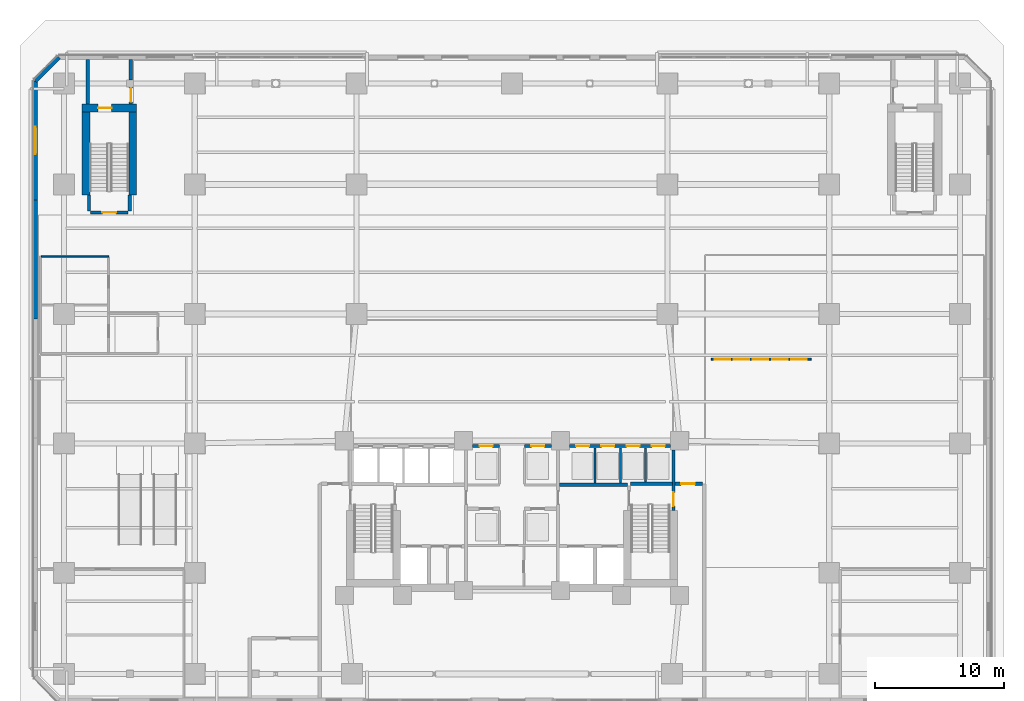
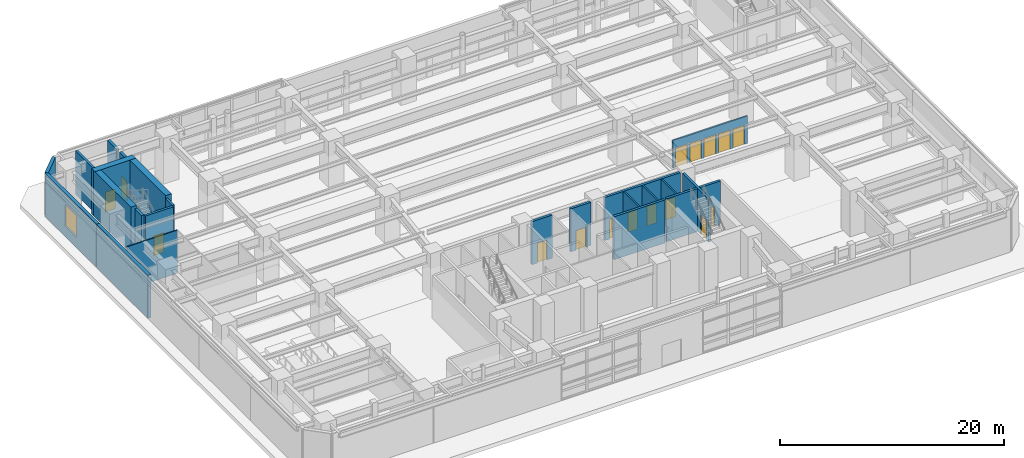
# One storey, part 15 of 26: 24 walls, 16 doors, 1 window, 17 openings.
"""IFC4 building model written with IfcOpenShell, lengths in metres."""

from ifc_helpers import new_model, si_unit, direction, frame, frame_2d, origin, place, context, subcontext, project, spatial, rectangle, extrude, material, layer, layer_set, type_object, element, fill, save


model = new_model("IFC4")

# Units and contexts
model_context = context("Model", 3, precision=1e-05, world=origin(), true_north=direction((0.0, 1.0)))
body_context = subcontext(model_context, "Body", "Model", "MODEL_VIEW")
ifc_project = project(units=[si_unit("LENGTHUNIT", "METRE"), si_unit("AREAUNIT", "SQUARE_METRE"), si_unit("VOLUMEUNIT", "CUBIC_METRE"), si_unit("PLANEANGLEUNIT", "RADIAN"), si_unit("MASSUNIT", "GRAM", prefix="KILO")], contexts=[model_context])

# Site, building, storey
site_placement = place(None, origin())
site = spatial("IfcSite", under=ifc_project, at=site_placement, CompositionType="ELEMENT")
building_placement = place(site_placement, origin())
building = spatial("IfcBuilding", under=site, at=building_placement, Name="Quenlor Broadcast Tower", CompositionType="ELEMENT")
storey_placement = place(building_placement, origin())
storey = spatial("IfcBuildingStorey", under=building, at=storey_placement, Name="L00", CompositionType="ELEMENT", Elevation=0.0)

# Wall, openings, doors
ifc_material_1 = material(Name="Acoustic Double Stud Gypsum Partition", Category="other")
ifc_layer_1 = layer(ifc_material_1, 0.14990234375)
ifc_layer_set_1 = layer_set([ifc_layer_1], Name="Broadcast Studio Acoustic Partition 150")
wall_type_1 = type_object("IfcWallType", Name="Broadcast Studio Acoustic Partition 150", PredefinedType="PARTITIONING", material=ifc_layer_set_1)
wall_1_placement = place(storey_placement, frame((15.39990234375, 1.5, 0.0), z_axis=(0.0, 0.0, 1.0), x_axis=(1.0, 0.0, 0.0)))
wall_1 = element("IfcWall", 1, at=wall_1_placement, inside=storey, type_object=wall_type_1, Name="L00 Ticket Hall Fare Gate Screen Wall", PredefinedType="PARTITIONING", context=body_context, shape_type="SweptSolid", body=[
    extrude(rectangle(XDim=7.7001953125, YDim=0.14990234375, at=frame_2d((3.85009765625, 0.0))), origin(), (0.0, 0.0, 1.0), 3.0),
])
opening_1_placement = place(wall_1_placement, frame((0.25, 0.0, 0.0)))
opening_1 = element("IfcOpeningElement", 2, at=opening_1_placement, cuts=wall_1, Name="Opening GT-1", PredefinedType="OPENING", context=body_context, shape_type="SweptSolid", body=[
    extrude(rectangle(XDim=1.199951171875, YDim=2.10009765625, at=frame_2d((0.60009765625, 1.050048828125))), frame((0.0, 0.0849609375, 0.0), z_axis=(0.0, -1.0, 0.0), x_axis=(1.0, 0.0, 0.0)), (0.0, 0.0, 1.0), 0.169921875),
])
opening_2_placement = place(wall_1_placement, frame((1.72998046875, 0.0, 0.0)))
opening_2 = element("IfcOpeningElement", 3, at=opening_2_placement, cuts=wall_1, Name="Opening GT-1", PredefinedType="OPENING", context=body_context, shape_type="SweptSolid", body=[
    extrude(rectangle(XDim=1.199951171875, YDim=2.10009765625, at=frame_2d((0.60009765625, 1.050048828125))), frame((0.0, 0.0849609375, 0.0), z_axis=(0.0, -1.0, 0.0), x_axis=(1.0, 0.0, 0.0)), (0.0, 0.0, 1.0), 0.169921875),
])
opening_3_placement = place(wall_1_placement, frame((3.2099609375, 0.0, 0.0)))
opening_3 = element("IfcOpeningElement", 4, at=opening_3_placement, cuts=wall_1, Name="Opening GT-1", PredefinedType="OPENING", context=body_context, shape_type="SweptSolid", body=[
    extrude(rectangle(XDim=1.199951171875, YDim=2.10009765625, at=frame_2d((0.60009765625, 1.050048828125))), frame((0.0, 0.0849609375, 0.0), z_axis=(0.0, -1.0, 0.0), x_axis=(1.0, 0.0, 0.0)), (0.0, 0.0, 1.0), 0.169921875),
])
opening_4_placement = place(wall_1_placement, frame((4.68994140625, 0.0, 0.0)))
opening_4 = element("IfcOpeningElement", 5, at=opening_4_placement, cuts=wall_1, Name="Opening GT-1", PredefinedType="OPENING", context=body_context, shape_type="SweptSolid", body=[
    extrude(rectangle(XDim=1.199951171875, YDim=2.10009765625, at=frame_2d((0.60009765625, 1.050048828125))), frame((0.0, 0.0849609375, 0.0), z_axis=(0.0, -1.0, 0.0), x_axis=(1.0, 0.0, 0.0)), (0.0, 0.0, 1.0), 0.169921875),
])
opening_5_placement = place(wall_1_placement, frame((6.169921875, 0.0, 0.0)))
opening_5 = element("IfcOpeningElement", 6, at=opening_5_placement, cuts=wall_1, Name="Opening GT-1", PredefinedType="OPENING", context=body_context, shape_type="SweptSolid", body=[
    extrude(rectangle(XDim=1.199951171875, YDim=2.10009765625, at=frame_2d((0.60009765625, 1.050048828125))), frame((0.0, 0.0849609375, 0.0), z_axis=(0.0, -1.0, 0.0), x_axis=(1.0, 0.0, 0.0)), (0.0, 0.0, 1.0), 0.169921875),
])
ifc_material_2 = material(Name="Anodised Aluminium and Glass", Category="aluminium")
door_type_1 = type_object("IfcDoorType", Name="Station Concourse Accessible Fare Gate 1200x2100", OperationType="NOTDEFINED", PredefinedType="GATE", material=ifc_material_2)
door_1_placement = place(opening_1_placement, origin())
door_1 = element("IfcDoor", 7, at=door_1_placement, inside=storey, type_object=door_type_1, Name="L00 Station Accessible Fare Gate 1", OperationType="DOUBLE_DOOR_SINGLE_SWING", OverallHeight=2.10009765625, OverallWidth=1.199951171875, PredefinedType="GATE", context=body_context, shape_type="SweptSolid", body=[
    extrude(rectangle(XDim=1.199951171875, YDim=2.10009765625, at=frame_2d((0.60009765625, 1.050048828125))), frame((0.0, 0.02490234375, 0.0), z_axis=(0.0, -1.0, 0.0), x_axis=(1.0, 0.0, 0.0)), (0.0, 0.0, 1.0), 0.050048828125),
])
fill(opening_1, door_1)
door_2_placement = place(opening_2_placement, origin())
door_2 = element("IfcDoor", 8, at=door_2_placement, inside=storey, type_object=door_type_1, Name="L00 Station Accessible Fare Gate 2", OperationType="DOUBLE_DOOR_SINGLE_SWING", OverallHeight=2.10009765625, OverallWidth=1.199951171875, PredefinedType="GATE", context=body_context, shape_type="SweptSolid", body=[
    extrude(rectangle(XDim=1.199951171875, YDim=2.10009765625, at=frame_2d((0.60009765625, 1.050048828125))), frame((0.0, 0.02490234375, 0.0), z_axis=(0.0, -1.0, 0.0), x_axis=(1.0, 0.0, 0.0)), (0.0, 0.0, 1.0), 0.050048828125),
])
fill(opening_2, door_2)
door_3_placement = place(opening_3_placement, origin())
door_3 = element("IfcDoor", 9, at=door_3_placement, inside=storey, type_object=door_type_1, Name="L00 Station Accessible Fare Gate 3", OperationType="DOUBLE_DOOR_SINGLE_SWING", OverallHeight=2.10009765625, OverallWidth=1.199951171875, PredefinedType="GATE", context=body_context, shape_type="SweptSolid", body=[
    extrude(rectangle(XDim=1.199951171875, YDim=2.10009765625, at=frame_2d((0.60009765625, 1.050048828125))), frame((0.0, 0.02490234375, 0.0), z_axis=(0.0, -1.0, 0.0), x_axis=(1.0, 0.0, 0.0)), (0.0, 0.0, 1.0), 0.050048828125),
])
fill(opening_3, door_3)
door_4_placement = place(opening_4_placement, origin())
door_4 = element("IfcDoor", 10, at=door_4_placement, inside=storey, type_object=door_type_1, Name="L00 Station Accessible Fare Gate 4", OperationType="DOUBLE_DOOR_SINGLE_SWING", OverallHeight=2.10009765625, OverallWidth=1.199951171875, PredefinedType="GATE", context=body_context, shape_type="SweptSolid", body=[
    extrude(rectangle(XDim=1.199951171875, YDim=2.10009765625, at=frame_2d((0.60009765625, 1.050048828125))), frame((0.0, 0.02490234375, 0.0), z_axis=(0.0, -1.0, 0.0), x_axis=(1.0, 0.0, 0.0)), (0.0, 0.0, 1.0), 0.050048828125),
])
fill(opening_4, door_4)
door_5_placement = place(opening_5_placement, origin())
door_5 = element("IfcDoor", 11, at=door_5_placement, inside=storey, type_object=door_type_1, Name="L00 Station Accessible Fare Gate 5", OperationType="DOUBLE_DOOR_SINGLE_SWING", OverallHeight=2.10009765625, OverallWidth=1.199951171875, PredefinedType="GATE", context=body_context, shape_type="SweptSolid", body=[
    extrude(rectangle(XDim=1.199951171875, YDim=2.10009765625, at=frame_2d((0.60009765625, 1.050048828125))), frame((0.0, 0.02490234375, 0.0), z_axis=(0.0, -1.0, 0.0), x_axis=(1.0, 0.0, 0.0)), (0.0, 0.0, 1.0), 0.050048828125),
])
fill(opening_5, door_5)

# Wall, opening, door
ifc_material_3 = material(Name="Concrete C65/80", Category="concrete")
ifc_layer_2 = layer(ifc_material_3, 0.60009765625)
ifc_layer_set_2 = layer_set([ifc_layer_2], Name="Core Concrete C65/80 Shear Wall 600")
wall_type_2 = type_object("IfcWallType", Name="Core Concrete C65/80 Shear Wall 600", PredefinedType="SHEAR", material=ifc_layer_set_2)
wall_2_placement = place(storey_placement, frame((-33.199951171875, 20.89990234375, 0.0), z_axis=(0.0, 0.0, 1.0), x_axis=(1.0, 0.0, 0.0)))
wall_2 = element("IfcWall", 12, at=wall_2_placement, inside=storey, type_object=wall_type_2, Name="L00 Core Shear Wall ST3-N", PredefinedType="SHEAR", context=body_context, shape_type="SweptSolid", body=[
    extrude(rectangle(XDim=4.199951171875, YDim=0.60009765625, at=frame_2d((2.10009765625, 0.0))), origin(), (0.0, 0.0, 1.0), 5.0),
])
opening_6_placement = place(wall_2_placement, frame((1.22509765625, 0.0, 0.0)))
opening_6 = element("IfcOpeningElement", 13, at=opening_6_placement, cuts=wall_2, Name="Opening FD-1", PredefinedType="OPENING", context=body_context, shape_type="SweptSolid", body=[
    extrude(rectangle(XDim=1.050048828125, YDim=2.14990234375, at=frame_2d((0.52490234375, 1.074951171875))), frame((0.0, 0.31005859375, 0.0), z_axis=(0.0, -1.0, 0.0), x_axis=(1.0, 0.0, 0.0)), (0.0, 0.0, 1.0), 0.6201171875),
])
ifc_material_4 = material(Name="Fire Rated Steel Door Leaf", Category="steel")
door_type_2 = type_object("IfcDoorType", Name="Fire Isolated Stair Door 1050x2150", OperationType="NOTDEFINED", PredefinedType="DOOR", material=ifc_material_4)
door_6_placement = place(opening_6_placement, origin())
door_6 = element("IfcDoor", 14, at=door_6_placement, inside=storey, type_object=door_type_2, Name="L00 Exit Stair ST-3 Discharge Door to Exit Vestibule North West", OperationType="SINGLE_SWING_LEFT", OverallHeight=2.14990234375, OverallWidth=1.050048828125, PredefinedType="DOOR", context=body_context, shape_type="SweptSolid", body=[
    extrude(rectangle(XDim=1.050048828125, YDim=2.14990234375, at=frame_2d((0.52490234375, 1.074951171875))), frame((0.0, 0.02490234375, 0.0), z_axis=(0.0, -1.0, 0.0), x_axis=(1.0, 0.0, 0.0)), (0.0, 0.0, 1.0), 0.050048828125),
])
fill(opening_6, door_6)

# Walls
for number, where, z_axis, x_axis, name in (
    (15, (-32.89990234375, 14.199951171875, 0.0), (0.0, 0.0, 1.0), (0.0, 1.0, 0.0), "L00 Core Shear Wall ST3-W"),
    (16, (-29.300048828125, 14.199951171875, 0.0), (0.0, 0.0, 1.0), (0.0, 1.0, 0.0), "L00 Core Shear Wall ST3-E"),
):
    element("IfcWall", number, at=place(storey_placement, frame(where, z_axis=z_axis, x_axis=x_axis)), inside=storey, type_object=wall_type_2, Name=name, PredefinedType="SHEAR", context=body_context, shape_type="SweptSolid", body=[
        extrude(rectangle(XDim=6.699951171875, YDim=0.60009765625, at=frame_2d((3.35009765625, 0.0))), origin(), (0.0, 0.0, 1.0), 5.0),
    ])
ifc_material_5 = material(Name="Concrete C40/50", Category="concrete")
ifc_layer_3 = layer(ifc_material_5, 0.25)
ifc_layer_set_3 = layer_set([ifc_layer_3], Name="Fire Rated Concrete C40/50 Core Wall 250")
wall_type_3 = type_object("IfcWallType", Name="Fire Rated Concrete C40/50 Core Wall 250", PredefinedType="PARTITIONING", material=ifc_layer_set_3)
wall_3_placement = place(storey_placement, frame((9.159912109375, -8.1201171875, 0.0), z_axis=(0.0, 0.0, 1.0), x_axis=(1.0, 0.0, 0.0)))
element("IfcWall", 17, at=wall_3_placement, inside=storey, type_object=wall_type_3, Name="L00 Interior Wall CW-ST2-N", PredefinedType="PARTITIONING", context=body_context, shape_type="SweptSolid", body=[
    extrude(rectangle(XDim=3.219970703125, YDim=0.25, at=frame_2d((1.60986328125, 0.0))), origin(), (0.0, 0.0, 1.0), 4.699951171875),
])

# Wall, opening, door
wall_4_placement = place(storey_placement, frame((12.47998046875, -5.501953125, 0.0), z_axis=(0.0, 0.0, 1.0), x_axis=(0.0, -1.0, 0.0)))
wall_4 = element("IfcWall", 18, at=wall_4_placement, inside=storey, type_object=wall_type_3, Name="L00 Interior Wall CW-ST2-E2", PredefinedType="PARTITIONING", context=body_context, shape_type="SweptSolid", body=[
    extrude(rectangle(XDim=4.677978515625, YDim=0.25, at=frame_2d((2.3388671875, 0.0))), origin(), (0.0, 0.0, 1.0), 4.699951171875),
])
opening_7_placement = place(wall_4_placement, frame((3.2900390625, 0.0, 0.0)))
opening_7 = element("IfcOpeningElement", 19, at=opening_7_placement, cuts=wall_4, Name="Opening FD-1", PredefinedType="OPENING", context=body_context, shape_type="SweptSolid", body=[
    extrude(rectangle(XDim=1.050048828125, YDim=2.14990234375, at=frame_2d((0.52490234375, 1.074951171875))), frame((0.0, 0.135009765625, 0.0), z_axis=(0.0, -1.0, 0.0), x_axis=(1.0, 0.0, 0.0)), (0.0, 0.0, 1.0), 0.27001953125),
])
door_7_placement = place(opening_7_placement, origin())
door_7 = element("IfcDoor", 20, at=door_7_placement, inside=storey, type_object=door_type_2, Name="L00 Exit Stair ST-2 Discharge Door to Exit Passage East", OperationType="SINGLE_SWING_RIGHT", OverallHeight=2.14990234375, OverallWidth=1.050048828125, PredefinedType="DOOR", context=body_context, shape_type="SweptSolid", body=[
    extrude(rectangle(XDim=1.050048828125, YDim=2.14990234375, at=frame_2d((0.52490234375, 1.074951171875))), frame((0.0, 0.02490234375, 0.0), z_axis=(0.0, -1.0, 0.0), x_axis=(1.0, 0.0, 0.0)), (0.0, 0.0, 1.0), 0.050048828125),
])
fill(opening_7, door_7)

wall_5_placement = place(storey_placement, frame((-32.550048828125, 12.840087890625, 0.0), z_axis=(0.0, 0.0, 1.0), x_axis=(1.0, 0.0, 0.0)))
wall_5 = element("IfcWall", 21, at=wall_5_placement, inside=storey, type_object=wall_type_3, Name="L00 Interior Wall CW-ST3-S", PredefinedType="PARTITIONING", context=body_context, shape_type="SweptSolid", body=[
    extrude(rectangle(XDim=2.900146484375, YDim=0.25, at=frame_2d((1.4501953125, 0.0))), origin(), (0.0, 0.0, 1.0), 4.699951171875),
])
opening_8_placement = place(wall_5_placement, frame((0.919921875, 0.0, 0.0)))
opening_8 = element("IfcOpeningElement", 22, at=opening_8_placement, cuts=wall_5, Name="Opening FD-1", PredefinedType="OPENING", context=body_context, shape_type="SweptSolid", body=[
    extrude(rectangle(XDim=1.050048828125, YDim=2.14990234375, at=frame_2d((0.52490234375, 1.074951171875))), frame((0.0, 0.135009765625, 0.0), z_axis=(0.0, -1.0, 0.0), x_axis=(1.0, 0.0, 0.0)), (0.0, 0.0, 1.0), 0.27001953125),
])
door_8_placement = place(opening_8_placement, origin())
door_8 = element("IfcDoor", 23, at=door_8_placement, inside=storey, type_object=door_type_2, Name="L00 Door DR-ST3", OperationType="SINGLE_SWING_LEFT", OverallHeight=2.14990234375, OverallWidth=1.050048828125, PredefinedType="DOOR", context=body_context, shape_type="SweptSolid", body=[
    extrude(rectangle(XDim=1.050048828125, YDim=2.14990234375, at=frame_2d((0.52490234375, 1.074951171875))), frame((0.0, 0.02490234375, 0.0), z_axis=(0.0, -1.0, 0.0), x_axis=(1.0, 0.0, 0.0)), (0.0, 0.0, 1.0), 0.050048828125),
])
fill(opening_8, door_8)

# Walls
for number, where, z_axis, x_axis, name in (
    (24, (-32.679931640625, 12.9599609375, 0.0), (0.0, 0.0, 1.0), (0.0, 1.0, 0.0), "L00 Interior Wall CW-ST3-W1"),
    (25, (-29.52001953125, 12.9599609375, 0.0), (0.0, 0.0, 1.0), (0.0, 1.0, 0.0), "L00 Interior Wall CW-ST3-E1"),
):
    element("IfcWall", number, at=place(storey_placement, frame(where, z_axis=z_axis, x_axis=x_axis)), inside=storey, type_object=wall_type_3, Name=name, PredefinedType="PARTITIONING", context=body_context, shape_type="SweptSolid", body=[
        extrude(rectangle(XDim=1.219970703125, YDim=0.25, at=frame_2d((0.60986328125, 0.0))), origin(), (0.0, 0.0, 1.0), 4.699951171875),
    ])
wall_6_placement = place(storey_placement, frame((3.679931640625, -8.199951171875, 0.0), z_axis=(0.0, 0.0, 1.0), x_axis=(1.0, 0.0, 0.0)))
element("IfcWall", 26, at=wall_6_placement, inside=storey, type_object=wall_type_3, Name="L00 Interior Wall CW-FFE-N", PredefinedType="PARTITIONING", context=body_context, shape_type="SweptSolid", body=[
    extrude(rectangle(XDim=5.239990234375, YDim=0.25, at=frame_2d((2.6201171875, 0.0))), origin(), (0.0, 0.0, 1.0), 4.699951171875),
])

# Wall, openings, doors
wall_7_placement = place(storey_placement, frame((4.451904296875, -5.199951171875, 0.0), z_axis=(0.0, 0.0, 1.0), x_axis=(1.0, 0.0, 0.0)))
wall_7 = element("IfcWall", 27, at=wall_7_placement, inside=storey, type_object=wall_type_3, Name="L00 Interior Wall CW-N-E", PredefinedType="PARTITIONING", context=body_context, shape_type="SweptSolid", body=[
    extrude(rectangle(XDim=7.796142578125, YDim=0.25, at=frame_2d((3.89794921875, 0.0))), origin(), (0.0, 0.0, 1.0), 4.699951171875),
])
opening_9_placement = place(wall_7_placement, frame((0.498046875, 0.0, 0.0)))
opening_9 = element("IfcOpeningElement", 28, at=opening_9_placement, cuts=wall_7, Name="Opening LD-PL-H1", PredefinedType="OPENING", context=body_context, shape_type="SweptSolid", body=[
    extrude(rectangle(XDim=1.0, YDim=2.14990234375, at=frame_2d((0.5, 1.074951171875))), frame((0.0, 0.135009765625, 0.0), z_axis=(0.0, -1.0, 0.0), x_axis=(1.0, 0.0, 0.0)), (0.0, 0.0, 1.0), 0.27001953125),
])
opening_10_placement = place(wall_7_placement, frame((2.447998046875, 0.0, 0.0)))
opening_10 = element("IfcOpeningElement", 29, at=opening_10_placement, cuts=wall_7, Name="Opening LD-PL-H2", PredefinedType="OPENING", context=body_context, shape_type="SweptSolid", body=[
    extrude(rectangle(XDim=1.0, YDim=2.14990234375, at=frame_2d((0.5, 1.074951171875))), frame((0.0, 0.135009765625, 0.0), z_axis=(0.0, -1.0, 0.0), x_axis=(1.0, 0.0, 0.0)), (0.0, 0.0, 1.0), 0.27001953125),
])
opening_11_placement = place(wall_7_placement, frame((4.39794921875, 0.0, 0.0)))
opening_11 = element("IfcOpeningElement", 30, at=opening_11_placement, cuts=wall_7, Name="Opening LD-PL-H3", PredefinedType="OPENING", context=body_context, shape_type="SweptSolid", body=[
    extrude(rectangle(XDim=1.0, YDim=2.14990234375, at=frame_2d((0.5, 1.074951171875))), frame((0.0, 0.135009765625, 0.0), z_axis=(0.0, -1.0, 0.0), x_axis=(1.0, 0.0, 0.0)), (0.0, 0.0, 1.0), 0.27001953125),
])
opening_12_placement = place(wall_7_placement, frame((6.347900390625, 0.0, 0.0)))
opening_12 = element("IfcOpeningElement", 31, at=opening_12_placement, cuts=wall_7, Name="Opening LD-PL-H4", PredefinedType="OPENING", context=body_context, shape_type="SweptSolid", body=[
    extrude(rectangle(XDim=1.0, YDim=2.14990234375, at=frame_2d((0.5, 1.074951171875))), frame((0.0, 0.135009765625, 0.0), z_axis=(0.0, -1.0, 0.0), x_axis=(1.0, 0.0, 0.0)), (0.0, 0.0, 1.0), 0.27001953125),
])
ifc_material_6 = material(Name="Brushed Stainless Steel", Category="steel")
door_type_3 = type_object("IfcDoorType", Name="Passenger Lift Sliding Landing Door 1000x2150", OperationType="NOTDEFINED", PredefinedType="DOOR", material=ifc_material_6)
door_9_placement = place(opening_9_placement, origin())
door_9 = element("IfcDoor", 32, at=door_9_placement, inside=storey, type_object=door_type_3, Name="L00 Door LD-PL-H1", OperationType="SLIDING_TO_RIGHT", OverallHeight=2.14990234375, OverallWidth=1.0, PredefinedType="DOOR", context=body_context, shape_type="SweptSolid", body=[
    extrude(rectangle(XDim=1.0, YDim=2.14990234375, at=frame_2d((0.5, 1.074951171875))), frame((0.0, 0.02490234375, 0.0), z_axis=(0.0, -1.0, 0.0), x_axis=(1.0, 0.0, 0.0)), (0.0, 0.0, 1.0), 0.050048828125),
])
fill(opening_9, door_9)
door_10_placement = place(opening_10_placement, origin())
door_10 = element("IfcDoor", 33, at=door_10_placement, inside=storey, type_object=door_type_3, Name="L00 Door LD-PL-H2", OperationType="SLIDING_TO_RIGHT", OverallHeight=2.14990234375, OverallWidth=1.0, PredefinedType="DOOR", context=body_context, shape_type="SweptSolid", body=[
    extrude(rectangle(XDim=1.0, YDim=2.14990234375, at=frame_2d((0.5, 1.074951171875))), frame((0.0, 0.02490234375, 0.0), z_axis=(0.0, -1.0, 0.0), x_axis=(1.0, 0.0, 0.0)), (0.0, 0.0, 1.0), 0.050048828125),
])
fill(opening_10, door_10)
door_11_placement = place(opening_11_placement, origin())
door_11 = element("IfcDoor", 34, at=door_11_placement, inside=storey, type_object=door_type_3, Name="L00 Door LD-PL-H3", OperationType="SLIDING_TO_RIGHT", OverallHeight=2.14990234375, OverallWidth=1.0, PredefinedType="DOOR", context=body_context, shape_type="SweptSolid", body=[
    extrude(rectangle(XDim=1.0, YDim=2.14990234375, at=frame_2d((0.5, 1.074951171875))), frame((0.0, 0.02490234375, 0.0), z_axis=(0.0, -1.0, 0.0), x_axis=(1.0, 0.0, 0.0)), (0.0, 0.0, 1.0), 0.050048828125),
])
fill(opening_11, door_11)
door_12_placement = place(opening_12_placement, origin())
door_12 = element("IfcDoor", 35, at=door_12_placement, inside=storey, type_object=door_type_3, Name="L00 Door LD-PL-H4", OperationType="SLIDING_TO_RIGHT", OverallHeight=2.14990234375, OverallWidth=1.0, PredefinedType="DOOR", context=body_context, shape_type="SweptSolid", body=[
    extrude(rectangle(XDim=1.0, YDim=2.14990234375, at=frame_2d((0.5, 1.074951171875))), frame((0.0, 0.02490234375, 0.0), z_axis=(0.0, -1.0, 0.0), x_axis=(1.0, 0.0, 0.0)), (0.0, 0.0, 1.0), 0.050048828125),
])
fill(opening_12, door_12)

# Wall, opening, door
wall_8_placement = place(storey_placement, frame((-3.048095703125, -5.199951171875, 0.0), z_axis=(0.0, 0.0, 1.0), x_axis=(1.0, 0.0, 0.0)))
wall_8 = element("IfcWall", 36, at=wall_8_placement, inside=storey, type_object=wall_type_3, Name="L00 Interior Wall CW-N-M1", PredefinedType="PARTITIONING", context=body_context, shape_type="SweptSolid", body=[
    extrude(rectangle(XDim=2.09814453125, YDim=0.25, at=frame_2d((1.049072265625, 0.0))), origin(), (0.0, 0.0, 1.0), 4.699951171875),
])
opening_13_placement = place(wall_8_placement, frame((0.548095703125, 0.0, 0.0)))
opening_13 = element("IfcOpeningElement", 37, at=opening_13_placement, cuts=wall_8, Name="Opening LD-PL-M1", PredefinedType="OPENING", context=body_context, shape_type="SweptSolid", body=[
    extrude(rectangle(XDim=1.0, YDim=2.14990234375, at=frame_2d((0.5, 1.074951171875))), frame((0.0, 0.135009765625, 0.0), z_axis=(0.0, -1.0, 0.0), x_axis=(1.0, 0.0, 0.0)), (0.0, 0.0, 1.0), 0.27001953125),
])
door_13_placement = place(opening_13_placement, origin())
door_13 = element("IfcDoor", 38, at=door_13_placement, inside=storey, type_object=door_type_3, Name="L00 Door LD-PL-M1", OperationType="SLIDING_TO_LEFT", OverallHeight=2.14990234375, OverallWidth=1.0, PredefinedType="DOOR", context=body_context, shape_type="SweptSolid", body=[
    extrude(rectangle(XDim=1.0, YDim=2.14990234375, at=frame_2d((0.5, 1.074951171875))), frame((0.0, 0.02490234375, 0.0), z_axis=(0.0, -1.0, 0.0), x_axis=(1.0, 0.0, 0.0)), (0.0, 0.0, 1.0), 0.050048828125),
])
fill(opening_13, door_13)

wall_9_placement = place(storey_placement, frame((0.949951171875, -5.199951171875, 0.0), z_axis=(0.0, 0.0, 1.0), x_axis=(1.0, 0.0, 0.0)))
wall_9 = element("IfcWall", 39, at=wall_9_placement, inside=storey, type_object=wall_type_3, Name="L00 Interior Wall CW-N-M2", PredefinedType="PARTITIONING", context=body_context, shape_type="SweptSolid", body=[
    extrude(rectangle(XDim=2.09814453125, YDim=0.25, at=frame_2d((1.049072265625, 0.0))), origin(), (0.0, 0.0, 1.0), 4.699951171875),
])
opening_14_placement = place(wall_9_placement, frame((0.550048828125, 0.0, 0.0)))
opening_14 = element("IfcOpeningElement", 40, at=opening_14_placement, cuts=wall_9, Name="Opening LD-PL-M2", PredefinedType="OPENING", context=body_context, shape_type="SweptSolid", body=[
    extrude(rectangle(XDim=1.0, YDim=2.14990234375, at=frame_2d((0.5, 1.074951171875))), frame((0.0, 0.135009765625, 0.0), z_axis=(0.0, -1.0, 0.0), x_axis=(1.0, 0.0, 0.0)), (0.0, 0.0, 1.0), 0.27001953125),
])
door_14_placement = place(opening_14_placement, origin())
door_14 = element("IfcDoor", 41, at=door_14_placement, inside=storey, type_object=door_type_3, Name="L00 Door LD-PL-M2", OperationType="SLIDING_TO_RIGHT", OverallHeight=2.14990234375, OverallWidth=1.0, PredefinedType="DOOR", context=body_context, shape_type="SweptSolid", body=[
    extrude(rectangle(XDim=1.0, YDim=2.14990234375, at=frame_2d((0.5, 1.074951171875))), frame((0.0, 0.02490234375, 0.0), z_axis=(0.0, -1.0, 0.0), x_axis=(1.0, 0.0, 0.0)), (0.0, 0.0, 1.0), 0.050048828125),
])
fill(opening_14, door_14)

wall_10_placement = place(storey_placement, frame((12.60693359375, -8.1201171875, 0.0), z_axis=(0.0, 0.0, 1.0), x_axis=(1.0, 0.0, 0.0)))
wall_10 = element("IfcWall", 42, at=wall_10_placement, inside=storey, type_object=wall_type_3, Name="L00 Interior Wall PW-L00-EXEN", PredefinedType="PARTITIONING", context=body_context, shape_type="SweptSolid", body=[
    extrude(rectangle(XDim=2.113037109375, YDim=0.25, at=frame_2d((1.056640625, 0.0))), origin(), (0.0, 0.0, 1.0), 4.699951171875),
])
opening_15_placement = place(wall_10_placement, frame((0.462890625, 0.0, 0.0)))
opening_15 = element("IfcOpeningElement", 43, at=opening_15_placement, cuts=wall_10, Name="Opening FD-1", PredefinedType="OPENING", context=body_context, shape_type="SweptSolid", body=[
    extrude(rectangle(XDim=1.050048828125, YDim=2.14990234375, at=frame_2d((0.52490234375, 1.074951171875))), frame((0.0, 0.135009765625, 0.0), z_axis=(0.0, -1.0, 0.0), x_axis=(1.0, 0.0, 0.0)), (0.0, 0.0, 1.0), 0.27001953125),
])
door_15_placement = place(opening_15_placement, origin())
door_15 = element("IfcDoor", 44, at=door_15_placement, inside=storey, type_object=door_type_2, Name="L00 Door DR-L00-EXEN", OperationType="SINGLE_SWING_RIGHT", OverallHeight=2.14990234375, OverallWidth=1.050048828125, PredefinedType="DOOR", context=body_context, shape_type="SweptSolid", body=[
    extrude(rectangle(XDim=1.050048828125, YDim=2.14990234375, at=frame_2d((0.52490234375, 1.074951171875))), frame((0.0, 0.02490234375, 0.0), z_axis=(0.0, -1.0, 0.0), x_axis=(1.0, 0.0, 0.0)), (0.0, 0.0, 1.0), 0.050048828125),
])
fill(opening_15, door_15)

# Wall
wall_11_placement = place(storey_placement, frame((-32.760009765625, 21.201904296875, 0.0), z_axis=(0.0, 0.0, 1.0), x_axis=(0.0, 1.0, 0.0)))
element("IfcWall", 45, at=wall_11_placement, inside=storey, type_object=wall_type_3, Name="L00 Interior Wall PW-L00-VNWW", PredefinedType="PARTITIONING", context=body_context, shape_type="SweptSolid", body=[
    extrude(rectangle(XDim=3.4560546875, YDim=0.25, at=frame_2d((1.72802734375, 0.0))), origin(), (0.0, 0.0, 1.0), 4.699951171875),
])

# Wall, opening, door
wall_12_placement = place(storey_placement, frame((-29.43994140625, 21.201904296875, 0.0), z_axis=(0.0, 0.0, 1.0), x_axis=(0.0, 1.0, 0.0)))
wall_12 = element("IfcWall", 46, at=wall_12_placement, inside=storey, type_object=wall_type_3, Name="L00 Interior Wall PW-L00-VNWE", PredefinedType="PARTITIONING", context=body_context, shape_type="SweptSolid", body=[
    extrude(rectangle(XDim=1.321044921875, YDim=0.25, at=frame_2d((0.66064453125, 0.0))), origin(), (0.0, 0.0, 1.0), 4.699951171875),
])
opening_16_placement = place(wall_12_placement, frame((0.177978515625, 0.0, 0.0)))
opening_16 = element("IfcOpeningElement", 47, at=opening_16_placement, cuts=wall_12, Name="Opening FD-1", PredefinedType="OPENING", context=body_context, shape_type="SweptSolid", body=[
    extrude(rectangle(XDim=1.050048828125, YDim=2.14990234375, at=frame_2d((0.52490234375, 1.074951171875))), frame((0.0, 0.135009765625, 0.0), z_axis=(0.0, -1.0, 0.0), x_axis=(1.0, 0.0, 0.0)), (0.0, 0.0, 1.0), 0.27001953125),
])
door_16_placement = place(opening_16_placement, origin())
door_16 = element("IfcDoor", 48, at=door_16_placement, inside=storey, type_object=door_type_2, Name="L00 Door DR-L00-VNWE", OperationType="SINGLE_SWING_RIGHT", OverallHeight=2.14990234375, OverallWidth=1.050048828125, PredefinedType="DOOR", context=body_context, shape_type="SweptSolid", body=[
    extrude(rectangle(XDim=1.050048828125, YDim=2.14990234375, at=frame_2d((0.52490234375, 1.074951171875))), frame((0.0, 0.02490234375, 0.0), z_axis=(0.0, -1.0, 0.0), x_axis=(1.0, 0.0, 0.0)), (0.0, 0.0, 1.0), 0.050048828125),
])
fill(opening_16, door_16)

# Walls
wall_13_placement = place(storey_placement, frame((-29.43994140625, 23.076904296875, 0.0), z_axis=(0.0, 0.0, 1.0), x_axis=(0.0, 1.0, 0.0)))
element("IfcWall", 49, at=wall_13_placement, inside=storey, type_object=wall_type_3, Name="L00 Interior Wall PW-L00-VNWES2", PredefinedType="PARTITIONING", context=body_context, shape_type="SweptSolid", body=[
    extrude(rectangle(XDim=1.5810546875, YDim=0.25, at=frame_2d((0.79052734375, 0.0))), origin(), (0.0, 0.0, 1.0), 4.699951171875),
])
ifc_material_7 = material(Name="Gypsum Fireboard Partition", Category="other")
ifc_layer_4 = layer(ifc_material_7, 0.159912109375)
ifc_layer_set_4 = layer_set([ifc_layer_4], Name="Fire Rated Shaft and Corridor Partition 160")
wall_type_4 = type_object("IfcWallType", Name="Fire Rated Shaft and Corridor Partition 160", PredefinedType="PARTITIONING", material=ifc_layer_set_4)
for number, where, z_axis, x_axis, name in (
    (50, (6.425048828125, -8.072998046875, 0.0), (0.0, 0.0, 1.0), (0.0, 1.0, 0.0), "L00 Interior Wall CW-PLH-D1"),
    (51, (8.375, -8.072998046875, 0.0), (0.0, 0.0, 1.0), (0.0, 1.0, 0.0), "L00 Interior Wall CW-PLH-D2"),
):
    element("IfcWall", number, at=place(storey_placement, frame(where, z_axis=z_axis, x_axis=x_axis)), inside=storey, type_object=wall_type_4, Name=name, PredefinedType="PARTITIONING", context=body_context, shape_type="SweptSolid", body=[
        extrude(rectangle(XDim=2.73291015625, YDim=0.159912109375, at=frame_2d((1.366455078125, 0.0))), origin(), (0.0, 0.0, 1.0), 4.699951171875),
    ])
wall_14_placement = place(storey_placement, frame((10.324951171875, -7.992919921875, 0.0), z_axis=(0.0, 0.0, 1.0), x_axis=(0.0, 1.0, 0.0)))
element("IfcWall", 52, at=wall_14_placement, inside=storey, type_object=wall_type_4, Name="L00 Interior Wall CW-PLH-D3", PredefinedType="PARTITIONING", context=body_context, shape_type="SweptSolid", body=[
    extrude(rectangle(XDim=2.65283203125, YDim=0.159912109375, at=frame_2d((1.326416015625, 0.0))), origin(), (0.0, 0.0, 1.0), 4.699951171875),
])
ifc_material_8 = material(Name="Gypsum Plasterboard Partition", Category="other")
ifc_layer_5 = layer(ifc_material_8, 0.1201171875)
ifc_layer_set_5 = layer_set([ifc_layer_5], Name="Standard Office Partition 120")
wall_type_5 = type_object("IfcWallType", Name="Standard Office Partition 120", PredefinedType="PARTITIONING", material=ifc_layer_set_5)
wall_15_placement = place(storey_placement, frame((-36.35791015625, 9.449951171875, 0.0), z_axis=(0.0, 0.0, 1.0), x_axis=(1.0, 0.0, 0.0)))
element("IfcWall", 53, at=wall_15_placement, inside=storey, type_object=wall_type_5, Name="L00 Interior Wall PW-L00-WCN", PredefinedType="PARTITIONING", context=body_context, shape_type="SweptSolid", body=[
    extrude(rectangle(XDim=5.2080078125, YDim=0.1201171875, at=frame_2d((2.60400390625, 0.0))), origin(), (0.0, 0.0, 1.0), 4.699951171875),
])
ifc_material_9 = material(Name="Precast concrete C40/50", Category="concrete")
ifc_layer_6 = layer(ifc_material_9, 0.320068359375)
ifc_layer_set_6 = layer_set([ifc_layer_6], Name="Station Podium Precast Concrete C40/50 Facade Wall 320")
wall_type_6 = type_object("IfcWallType", Name="Station Podium Precast Concrete C40/50 Facade Wall 320", PredefinedType="STANDARD", material=ifc_layer_set_6)
wall_16_placement = place(storey_placement, frame((-36.820068359375, 4.60009765625, 0.0), z_axis=(0.0, 0.0, 1.0), x_axis=(0.0, 1.0, 0.0)))
element("IfcWall", 54, at=wall_16_placement, inside=storey, type_object=wall_type_6, Name="L00 Exterior Wall L00-EW-W4", PredefinedType="STANDARD", context=body_context, shape_type="SweptSolid", body=[
    extrude(rectangle(XDim=9.199951171875, YDim=0.320068359375, at=frame_2d((4.60009765625, 0.0))), origin(), (0.0, 0.0, 1.0), 4.699951171875),
])

# Wall, opening, window
wall_17_placement = place(storey_placement, frame((-36.820068359375, 13.800048828125, 0.0), z_axis=(0.0, 0.0, 1.0), x_axis=(0.0, 1.0, 0.0)))
wall_17 = element("IfcWall", 55, at=wall_17_placement, inside=storey, type_object=wall_type_6, Name="L00 Exterior Wall L00-EW-W5", PredefinedType="STANDARD", context=body_context, shape_type="SweptSolid", body=[
    extrude(rectangle(XDim=9.199951171875, YDim=0.320068359375, at=frame_2d((4.60009765625, 0.0))), origin(), (0.0, 0.0, 1.0), 4.699951171875),
])
opening_17_placement = place(wall_17_placement, frame((3.550048828125, 0.0, 1.10009765625)))
opening_17 = element("IfcOpeningElement", 56, at=opening_17_placement, cuts=wall_17, Name="Opening WN-4", PredefinedType="OPENING", context=body_context, shape_type="SweptSolid", body=[
    extrude(rectangle(XDim=2.10009765625, YDim=2.39990234375, at=frame_2d((1.050048828125, 1.199951171875))), frame((0.0, 0.169921875, 0.0), z_axis=(0.0, -1.0, 0.0), x_axis=(1.0, 0.0, 0.0)), (0.0, 0.0, 1.0), 0.340087890625),
])
ifc_material_10 = material(Name="Thermally Broken Aluminium and Low-E Glass", Category="aluminium")
window_type = type_object("IfcWindowType", Name="Podium Gallery Acoustic Window 2100x2400", PartitioningType="SINGLE_PANEL", PredefinedType="WINDOW", material=ifc_material_10)
window_placement = place(opening_17_placement, origin())
window = element("IfcWindow", 57, at=window_placement, inside=storey, type_object=window_type, Name="L00 Podium Gallery Window W5", OverallHeight=2.39990234375, OverallWidth=2.10009765625, PartitioningType="SINGLE_PANEL", PredefinedType="WINDOW", context=body_context, shape_type="SweptSolid", body=[
    extrude(rectangle(XDim=2.10009765625, YDim=2.39990234375, at=frame_2d((1.050048828125, 1.199951171875))), frame((0.0, 0.030029296875, 0.0), z_axis=(0.0, -1.0, 0.0), x_axis=(1.0, 0.0, 0.0)), (0.0, 0.0, 1.0), 0.06005859375),
])
fill(opening_17, window)

# Wall
wall_18_placement = place(storey_placement, frame((-36.820068359375, 23.0, 0.0), z_axis=(0.0, 0.0, 1.0), x_axis=(0.707106781187, 0.707106781187, 0.0)))
element("IfcWall", 58, at=wall_18_placement, inside=storey, type_object=wall_type_6, Name="L00 Exterior Wall L00-EW-CNW", PredefinedType="STANDARD", context=body_context, shape_type="SweptSolid", body=[
    extrude(rectangle(XDim=2.573974609375, YDim=0.320068359375, at=frame_2d((1.287109375, 0.0))), origin(), (0.0, 0.0, 1.0), 4.699951171875),
])

save(model, "model.ifc")
